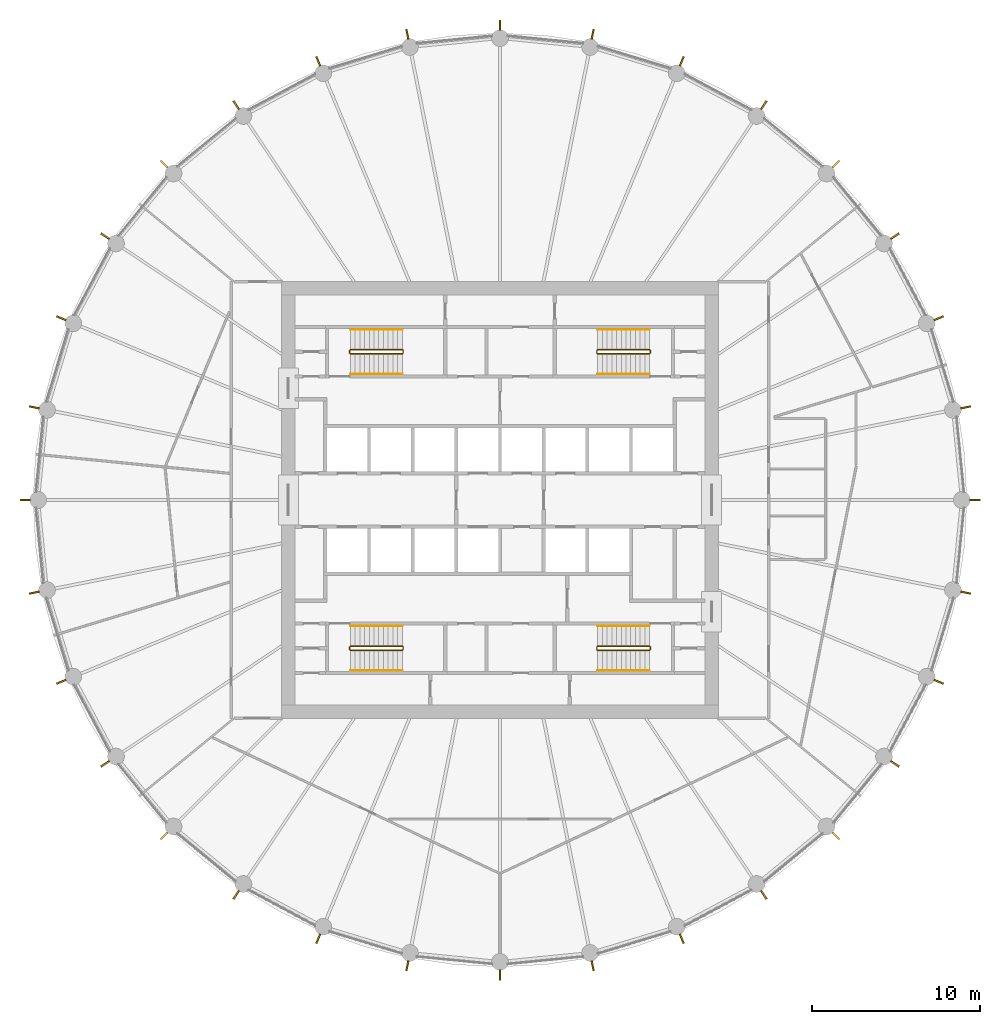
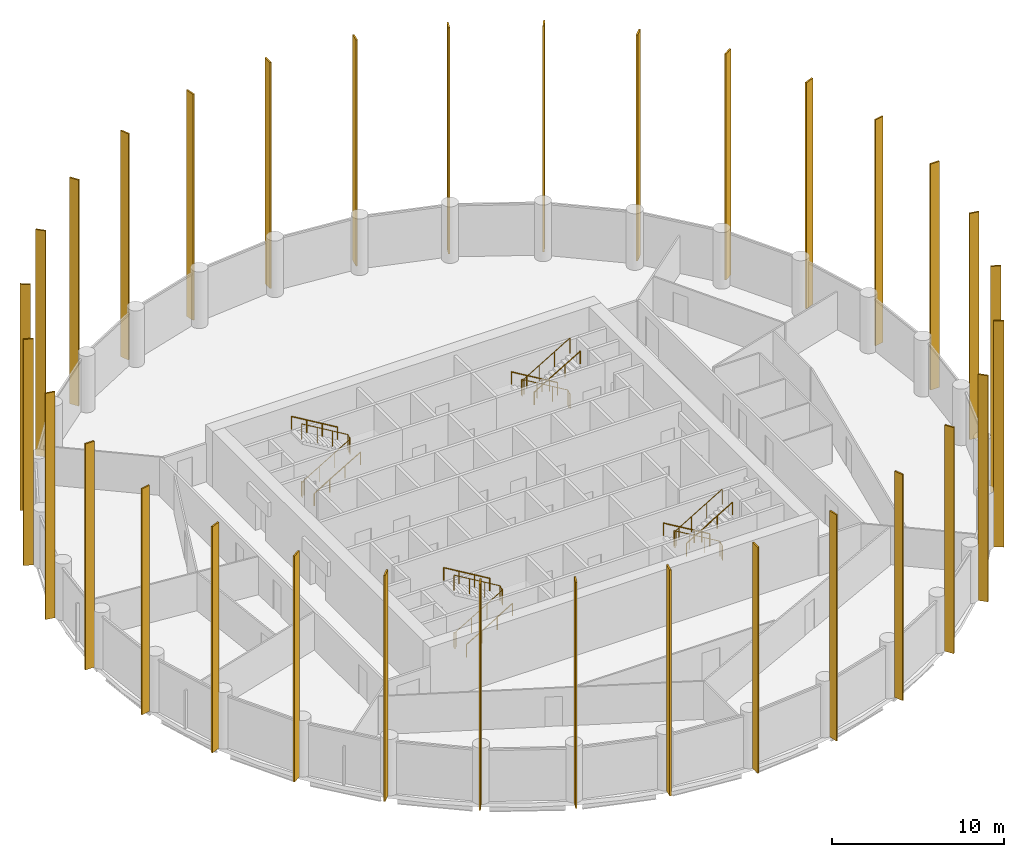
# One storey, part 9 of 9: 32 shading devices, 12 railings.
"""IFC4 building model written with IfcOpenShell, lengths in metres."""

from ifc_helpers import new_model, si_unit, direction, frame, origin, origin_2d, place, context, subcontext, project, spatial, rectangle, circle, extrude, material, material_profile, profile_set, type_object, element, save


model = new_model("IFC4")

# Units and contexts
model_context = context("Model", 3, precision=1e-05, world=origin(), true_north=direction((0.0, 1.0)))
body_context = subcontext(model_context, "Body", "Model", "MODEL_VIEW")
ifc_project = project(units=[si_unit("LENGTHUNIT", "METRE"), si_unit("AREAUNIT", "SQUARE_METRE"), si_unit("VOLUMEUNIT", "CUBIC_METRE"), si_unit("PLANEANGLEUNIT", "RADIAN"), si_unit("MASSUNIT", "GRAM", prefix="KILO")], contexts=[model_context])

# Site, building, storey
site_placement = place(None, origin())
site = spatial("IfcSite", under=ifc_project, at=site_placement, CompositionType="ELEMENT")
building_placement = place(site_placement, origin())
building = spatial("IfcBuilding", under=site, at=building_placement, Name="Corvane Civic Tower", CompositionType="ELEMENT")
storey_placement = place(building_placement, frame((0.0, 0.0, 217.5)))
storey = spatial("IfcBuildingStorey", under=building, at=storey_placement, Name="L51", CompositionType="ELEMENT", Elevation=217.5)

# Railings
ifc_material_1 = material(Name="Steel ASTM A572 Gr 50", Category="steel")
railing_type_1 = type_object("IfcRailingType", Name="ST-GUARD-1100", PredefinedType="GUARDRAIL", material=ifc_material_1)
railing_1_placement = place(storey_placement, frame((8.949951171875, 8.75, 0.0)))
element("IfcRailing", 1, at=railing_1_placement, inside=storey, type_object=railing_type_1, Name="L51 ST1 stair guard 1", PredefinedType="GUARDRAIL", context=body_context, shape_type="SweptSolid", body=[
    extrude(circle(Radius=0.02392578125, at=origin_2d()), frame((0.0, 0.0, 1.076171875), z_axis=(0.0, 1.0, 0.0), x_axis=(-1.0, 0.0, 0.0)), (0.0, 0.0, 1.0), 0.14990234375),
    extrude(circle(Radius=0.02392578125, at=origin_2d()), frame((0.0, 0.14990234375, 1.076171875), z_axis=(-0.27628659633, 0.27628659633, 0.920506074601), x_axis=(-0.707106781187, -0.707106781187, 0.0)), (0.0, 0.0, 1.0), 0.18115234375),
    extrude(circle(Radius=0.02392578125, at=origin_2d()), frame((-0.050048828125, 0.199951171875, 1.24267578125), z_axis=(-0.859290745958, 0.0, 0.51148745235), x_axis=(0.0, -1.0, 0.0)), (0.0, 0.0, 1.0), 3.584228515625),
    extrude(circle(Radius=0.02392578125, at=origin_2d()), frame((-3.1298828125, 0.199951171875, 3.076171875), z_axis=(-0.707106781187, -0.707106781187, 0.0), x_axis=(0.707106781187, -0.707106781187, 0.0)), (0.0, 0.0, 1.0), 0.07080078125),
    extrude(circle(Radius=0.02392578125, at=origin_2d()), frame((-3.179931640625, 0.14990234375, 3.076171875), z_axis=(0.0, -1.0, 0.0), x_axis=(1.0, 0.0, 0.0)), (0.0, 0.0, 1.0), 0.14990234375),
    extrude(circle(Radius=0.02392578125, at=origin_2d()), frame((-3.179931640625, 0.0, 3.076171875), z_axis=(0.27628659633, -0.27628659633, 0.920506074601), x_axis=(0.707106781187, 0.707106781187, 0.0)), (0.0, 0.0, 1.0), 0.18115234375),
    extrude(circle(Radius=0.02392578125, at=origin_2d()), frame((-3.1298828125, -0.050048828125, 3.24267578125), z_axis=(0.859290745958, 0.0, 0.51148745235), x_axis=(0.0, 1.0, 0.0)), (0.0, 0.0, 1.0), 3.584228515625),
    extrude(circle(Radius=0.02099609375, at=origin_2d()), origin(), (0.0, 0.0, 1.0), 1.052001953125),
    extrude(circle(Radius=0.02099609375, at=origin_2d()), frame((0.0, 0.14990234375, 0.0)), (0.0, 0.0, 1.0), 1.052001953125),
    extrude(circle(Radius=0.02099609375, at=origin_2d()), frame((-0.050048828125, 0.199951171875, 0.166748046875)), (0.0, 0.0, 1.0), 1.052001953125),
    extrude(circle(Radius=0.02099609375, at=origin_2d()), frame((-1.07666015625, 0.199951171875, 0.77783203125)), (0.0, 0.0, 1.0), 1.052001953125),
    extrude(circle(Radius=0.02099609375, at=origin_2d()), frame((-2.103271484375, 0.199951171875, 1.388916015625)), (0.0, 0.0, 1.0), 1.052001953125),
    extrude(circle(Radius=0.02099609375, at=origin_2d()), frame((-3.1298828125, 0.199951171875, 2.0)), (0.0, 0.0, 1.0), 1.052001953125),
    extrude(circle(Radius=0.02099609375, at=origin_2d()), frame((-3.179931640625, 0.14990234375, 2.0)), (0.0, 0.0, 1.0), 1.052001953125),
    extrude(circle(Radius=0.02099609375, at=origin_2d()), frame((-3.179931640625, 0.0, 2.0)), (0.0, 0.0, 1.0), 1.052001953125),
    extrude(circle(Radius=0.02099609375, at=origin_2d()), frame((-3.1298828125, -0.050048828125, 2.166748046875)), (0.0, 0.0, 1.0), 1.052001953125),
    extrude(circle(Radius=0.02099609375, at=origin_2d()), frame((-2.103271484375, -0.050048828125, 2.77783203125)), (0.0, 0.0, 1.0), 1.052001953125),
    extrude(circle(Radius=0.02099609375, at=origin_2d()), frame((-1.07666015625, -0.050048828125, 3.388916015625)), (0.0, 0.0, 1.0), 1.052001953125),
    extrude(circle(Radius=0.02099609375, at=origin_2d()), frame((-0.050048828125, -0.050048828125, 4.0)), (0.0, 0.0, 1.0), 1.052001953125),
])
railing_2_placement = place(storey_placement, frame((8.949951171875, -8.89990234375, 0.0)))
element("IfcRailing", 2, at=railing_2_placement, inside=storey, type_object=railing_type_1, Name="L51 ST2 stair guard 1", PredefinedType="GUARDRAIL", context=body_context, shape_type="SweptSolid", body=[
    extrude(circle(Radius=0.02392578125, at=origin_2d()), frame((0.0, 0.0, 1.076171875), z_axis=(0.0, 1.0, 0.0), x_axis=(-1.0, 0.0, 0.0)), (0.0, 0.0, 1.0), 0.14990234375),
    extrude(circle(Radius=0.02392578125, at=origin_2d()), frame((0.0, 0.14990234375, 1.076171875), z_axis=(-0.27628659633, 0.27628659633, 0.920506074601), x_axis=(-0.707106781187, -0.707106781187, 0.0)), (0.0, 0.0, 1.0), 0.18115234375),
    extrude(circle(Radius=0.02392578125, at=origin_2d()), frame((-0.050048828125, 0.199951171875, 1.24267578125), z_axis=(-0.859290745958, 0.0, 0.51148745235), x_axis=(0.0, -1.0, 0.0)), (0.0, 0.0, 1.0), 3.584228515625),
    extrude(circle(Radius=0.02392578125, at=origin_2d()), frame((-3.1298828125, 0.199951171875, 3.076171875), z_axis=(-0.707106781187, -0.707106781187, 0.0), x_axis=(0.707106781187, -0.707106781187, 0.0)), (0.0, 0.0, 1.0), 0.07080078125),
    extrude(circle(Radius=0.02392578125, at=origin_2d()), frame((-3.179931640625, 0.14990234375, 3.076171875), z_axis=(0.0, -1.0, 0.0), x_axis=(1.0, 0.0, 0.0)), (0.0, 0.0, 1.0), 0.14990234375),
    extrude(circle(Radius=0.02392578125, at=origin_2d()), frame((-3.179931640625, 0.0, 3.076171875), z_axis=(0.27628659633, -0.27628659633, 0.920506074601), x_axis=(0.707106781187, 0.707106781187, 0.0)), (0.0, 0.0, 1.0), 0.18115234375),
    extrude(circle(Radius=0.02392578125, at=origin_2d()), frame((-3.1298828125, -0.050048828125, 3.24267578125), z_axis=(0.859290745958, 0.0, 0.51148745235), x_axis=(0.0, 1.0, 0.0)), (0.0, 0.0, 1.0), 3.584228515625),
    extrude(circle(Radius=0.02099609375, at=origin_2d()), origin(), (0.0, 0.0, 1.0), 1.052001953125),
    extrude(circle(Radius=0.02099609375, at=origin_2d()), frame((0.0, 0.14990234375, 0.0)), (0.0, 0.0, 1.0), 1.052001953125),
    extrude(circle(Radius=0.02099609375, at=origin_2d()), frame((-0.050048828125, 0.199951171875, 0.166748046875)), (0.0, 0.0, 1.0), 1.052001953125),
    extrude(circle(Radius=0.02099609375, at=origin_2d()), frame((-1.07666015625, 0.199951171875, 0.77783203125)), (0.0, 0.0, 1.0), 1.052001953125),
    extrude(circle(Radius=0.02099609375, at=origin_2d()), frame((-2.103271484375, 0.199951171875, 1.388916015625)), (0.0, 0.0, 1.0), 1.052001953125),
    extrude(circle(Radius=0.02099609375, at=origin_2d()), frame((-3.1298828125, 0.199951171875, 2.0)), (0.0, 0.0, 1.0), 1.052001953125),
    extrude(circle(Radius=0.02099609375, at=origin_2d()), frame((-3.179931640625, 0.14990234375, 2.0)), (0.0, 0.0, 1.0), 1.052001953125),
    extrude(circle(Radius=0.02099609375, at=origin_2d()), frame((-3.179931640625, 0.0, 2.0)), (0.0, 0.0, 1.0), 1.052001953125),
    extrude(circle(Radius=0.02099609375, at=origin_2d()), frame((-3.1298828125, -0.050048828125, 2.166748046875)), (0.0, 0.0, 1.0), 1.052001953125),
    extrude(circle(Radius=0.02099609375, at=origin_2d()), frame((-2.103271484375, -0.050048828125, 2.77783203125)), (0.0, 0.0, 1.0), 1.052001953125),
    extrude(circle(Radius=0.02099609375, at=origin_2d()), frame((-1.07666015625, -0.050048828125, 3.388916015625)), (0.0, 0.0, 1.0), 1.052001953125),
    extrude(circle(Radius=0.02099609375, at=origin_2d()), frame((-0.050048828125, -0.050048828125, 4.0)), (0.0, 0.0, 1.0), 1.052001953125),
])
railing_3_placement = place(storey_placement, frame((-8.949951171875, -8.75, 0.0)))
element("IfcRailing", 3, at=railing_3_placement, inside=storey, type_object=railing_type_1, Name="L51 ST3 stair guard 1", PredefinedType="GUARDRAIL", context=body_context, shape_type="SweptSolid", body=[
    extrude(circle(Radius=0.02392578125, at=origin_2d()), frame((0.0, 0.0, 1.076171875), z_axis=(0.0, -1.0, 0.0), x_axis=(1.0, 0.0, 0.0)), (0.0, 0.0, 1.0), 0.14990234375),
    extrude(circle(Radius=0.02392578125, at=origin_2d()), frame((0.0, -0.14990234375, 1.076171875), z_axis=(0.27628659633, -0.27628659633, 0.920506074601), x_axis=(0.707106781187, 0.707106781187, 0.0)), (0.0, 0.0, 1.0), 0.18115234375),
    extrude(circle(Radius=0.02392578125, at=origin_2d()), frame((0.050048828125, -0.199951171875, 1.24267578125), z_axis=(0.859290745958, 0.0, 0.51148745235), x_axis=(0.0, 1.0, 0.0)), (0.0, 0.0, 1.0), 3.584228515625),
    extrude(circle(Radius=0.02392578125, at=origin_2d()), frame((3.1298828125, -0.199951171875, 3.076171875), z_axis=(0.707106781187, 0.707106781187, 0.0), x_axis=(-0.707106781187, 0.707106781187, 0.0)), (0.0, 0.0, 1.0), 0.07080078125),
    extrude(circle(Radius=0.02392578125, at=origin_2d()), frame((3.179931640625, -0.14990234375, 3.076171875), z_axis=(0.0, 1.0, 0.0), x_axis=(-1.0, 0.0, 0.0)), (0.0, 0.0, 1.0), 0.14990234375),
    extrude(circle(Radius=0.02392578125, at=origin_2d()), frame((3.179931640625, 0.0, 3.076171875), z_axis=(-0.27628659633, 0.27628659633, 0.920506074601), x_axis=(-0.707106781187, -0.707106781187, 0.0)), (0.0, 0.0, 1.0), 0.18115234375),
    extrude(circle(Radius=0.02392578125, at=origin_2d()), frame((3.1298828125, 0.050048828125, 3.24267578125), z_axis=(-0.859290745958, 0.0, 0.51148745235), x_axis=(0.0, -1.0, 0.0)), (0.0, 0.0, 1.0), 3.584228515625),
    extrude(circle(Radius=0.02099609375, at=origin_2d()), origin(), (0.0, 0.0, 1.0), 1.052001953125),
    extrude(circle(Radius=0.02099609375, at=origin_2d()), frame((0.0, -0.14990234375, 0.0)), (0.0, 0.0, 1.0), 1.052001953125),
    extrude(circle(Radius=0.02099609375, at=origin_2d()), frame((0.050048828125, -0.199951171875, 0.166748046875)), (0.0, 0.0, 1.0), 1.052001953125),
    extrude(circle(Radius=0.02099609375, at=origin_2d()), frame((1.07666015625, -0.199951171875, 0.77783203125)), (0.0, 0.0, 1.0), 1.052001953125),
    extrude(circle(Radius=0.02099609375, at=origin_2d()), frame((2.103271484375, -0.199951171875, 1.388916015625)), (0.0, 0.0, 1.0), 1.052001953125),
    extrude(circle(Radius=0.02099609375, at=origin_2d()), frame((3.1298828125, -0.199951171875, 2.0)), (0.0, 0.0, 1.0), 1.052001953125),
    extrude(circle(Radius=0.02099609375, at=origin_2d()), frame((3.179931640625, -0.14990234375, 2.0)), (0.0, 0.0, 1.0), 1.052001953125),
    extrude(circle(Radius=0.02099609375, at=origin_2d()), frame((3.179931640625, 0.0, 2.0)), (0.0, 0.0, 1.0), 1.052001953125),
    extrude(circle(Radius=0.02099609375, at=origin_2d()), frame((3.1298828125, 0.050048828125, 2.166748046875)), (0.0, 0.0, 1.0), 1.052001953125),
    extrude(circle(Radius=0.02099609375, at=origin_2d()), frame((2.103271484375, 0.050048828125, 2.77783203125)), (0.0, 0.0, 1.0), 1.052001953125),
    extrude(circle(Radius=0.02099609375, at=origin_2d()), frame((1.07666015625, 0.050048828125, 3.388916015625)), (0.0, 0.0, 1.0), 1.052001953125),
    extrude(circle(Radius=0.02099609375, at=origin_2d()), frame((0.050048828125, 0.050048828125, 4.0)), (0.0, 0.0, 1.0), 1.052001953125),
])
railing_4_placement = place(storey_placement, frame((-8.949951171875, 8.89990234375, 0.0)))
element("IfcRailing", 4, at=railing_4_placement, inside=storey, type_object=railing_type_1, Name="L51 ST4 stair guard 1", PredefinedType="GUARDRAIL", context=body_context, shape_type="SweptSolid", body=[
    extrude(circle(Radius=0.02392578125, at=origin_2d()), frame((0.0, 0.0, 1.076171875), z_axis=(0.0, -1.0, 0.0), x_axis=(1.0, 0.0, 0.0)), (0.0, 0.0, 1.0), 0.14990234375),
    extrude(circle(Radius=0.02392578125, at=origin_2d()), frame((0.0, -0.14990234375, 1.076171875), z_axis=(0.27628659633, -0.27628659633, 0.920506074601), x_axis=(0.707106781187, 0.707106781187, 0.0)), (0.0, 0.0, 1.0), 0.18115234375),
    extrude(circle(Radius=0.02392578125, at=origin_2d()), frame((0.050048828125, -0.199951171875, 1.24267578125), z_axis=(0.859290745958, 0.0, 0.51148745235), x_axis=(0.0, 1.0, 0.0)), (0.0, 0.0, 1.0), 3.584228515625),
    extrude(circle(Radius=0.02392578125, at=origin_2d()), frame((3.1298828125, -0.199951171875, 3.076171875), z_axis=(0.707106781187, 0.707106781187, 0.0), x_axis=(-0.707106781187, 0.707106781187, 0.0)), (0.0, 0.0, 1.0), 0.07080078125),
    extrude(circle(Radius=0.02392578125, at=origin_2d()), frame((3.179931640625, -0.14990234375, 3.076171875), z_axis=(0.0, 1.0, 0.0), x_axis=(-1.0, 0.0, 0.0)), (0.0, 0.0, 1.0), 0.14990234375),
    extrude(circle(Radius=0.02392578125, at=origin_2d()), frame((3.179931640625, 0.0, 3.076171875), z_axis=(-0.27628659633, 0.27628659633, 0.920506074601), x_axis=(-0.707106781187, -0.707106781187, 0.0)), (0.0, 0.0, 1.0), 0.18115234375),
    extrude(circle(Radius=0.02392578125, at=origin_2d()), frame((3.1298828125, 0.050048828125, 3.24267578125), z_axis=(-0.859290745958, 0.0, 0.51148745235), x_axis=(0.0, -1.0, 0.0)), (0.0, 0.0, 1.0), 3.584228515625),
    extrude(circle(Radius=0.02099609375, at=origin_2d()), origin(), (0.0, 0.0, 1.0), 1.052001953125),
    extrude(circle(Radius=0.02099609375, at=origin_2d()), frame((0.0, -0.14990234375, 0.0)), (0.0, 0.0, 1.0), 1.052001953125),
    extrude(circle(Radius=0.02099609375, at=origin_2d()), frame((0.050048828125, -0.199951171875, 0.166748046875)), (0.0, 0.0, 1.0), 1.052001953125),
    extrude(circle(Radius=0.02099609375, at=origin_2d()), frame((1.07666015625, -0.199951171875, 0.77783203125)), (0.0, 0.0, 1.0), 1.052001953125),
    extrude(circle(Radius=0.02099609375, at=origin_2d()), frame((2.103271484375, -0.199951171875, 1.388916015625)), (0.0, 0.0, 1.0), 1.052001953125),
    extrude(circle(Radius=0.02099609375, at=origin_2d()), frame((3.1298828125, -0.199951171875, 2.0)), (0.0, 0.0, 1.0), 1.052001953125),
    extrude(circle(Radius=0.02099609375, at=origin_2d()), frame((3.179931640625, -0.14990234375, 2.0)), (0.0, 0.0, 1.0), 1.052001953125),
    extrude(circle(Radius=0.02099609375, at=origin_2d()), frame((3.179931640625, 0.0, 2.0)), (0.0, 0.0, 1.0), 1.052001953125),
    extrude(circle(Radius=0.02099609375, at=origin_2d()), frame((3.1298828125, 0.050048828125, 2.166748046875)), (0.0, 0.0, 1.0), 1.052001953125),
    extrude(circle(Radius=0.02099609375, at=origin_2d()), frame((2.103271484375, 0.050048828125, 2.77783203125)), (0.0, 0.0, 1.0), 1.052001953125),
    extrude(circle(Radius=0.02099609375, at=origin_2d()), frame((1.07666015625, 0.050048828125, 3.388916015625)), (0.0, 0.0, 1.0), 1.052001953125),
    extrude(circle(Radius=0.02099609375, at=origin_2d()), frame((0.050048828125, 0.050048828125, 4.0)), (0.0, 0.0, 1.0), 1.052001953125),
])
ifc_material_2 = material(Name="Steel ASTM A572 Gr 50", Category="steel")
railing_type_2 = type_object("IfcRailingType", Name="ST-HANDRAIL-900", PredefinedType="HANDRAIL", material=ifc_material_2)
railing_5_placement = place(storey_placement, frame((8.89990234375, 10.14990234375, 0.166748046875)))
element("IfcRailing", 5, at=railing_5_placement, inside=storey, type_object=railing_type_2, Name="L51 ST1 stair handrail 1", PredefinedType="HANDRAIL", context=body_context, shape_type="SweptSolid", body=[
    extrude(circle(Radius=0.02392578125, at=origin_2d()), frame((0.0, 0.0, 0.8759765625), z_axis=(-0.859290745958, 0.0, 0.51148745235), x_axis=(0.0, -1.0, 0.0)), (0.0, 0.0, 1.0), 3.584228515625),
    extrude(circle(Radius=0.02099609375, at=origin_2d()), origin(), (0.0, 0.0, 1.0), 0.851806640625),
    extrude(circle(Radius=0.02099609375, at=origin_2d()), frame((-1.026611328125, 0.0, 0.611083984375)), (0.0, 0.0, 1.0), 0.851806640625),
    extrude(circle(Radius=0.02099609375, at=origin_2d()), frame((-2.05322265625, 0.0, 1.22216796875)), (0.0, 0.0, 1.0), 0.851806640625),
    extrude(circle(Radius=0.02099609375, at=origin_2d()), frame((-3.079833984375, 0.0, 1.833251953125)), (0.0, 0.0, 1.0), 0.851806640625),
])
railing_6_placement = place(storey_placement, frame((5.820068359375, 7.5, 2.166748046875)))
element("IfcRailing", 6, at=railing_6_placement, inside=storey, type_object=railing_type_2, Name="L51 ST1 stair handrail 2", PredefinedType="HANDRAIL", context=body_context, shape_type="SweptSolid", body=[
    extrude(circle(Radius=0.02392578125, at=origin_2d()), frame((0.0, 0.0, 0.8759765625), z_axis=(0.859290745958, 0.0, 0.51148745235), x_axis=(0.0, 1.0, 0.0)), (0.0, 0.0, 1.0), 3.584228515625),
    extrude(circle(Radius=0.02099609375, at=origin_2d()), origin(), (0.0, 0.0, 1.0), 0.851806640625),
    extrude(circle(Radius=0.02099609375, at=origin_2d()), frame((1.026611328125, 0.0, 0.611083984375)), (0.0, 0.0, 1.0), 0.851806640625),
    extrude(circle(Radius=0.02099609375, at=origin_2d()), frame((2.05322265625, 0.0, 1.22216796875)), (0.0, 0.0, 1.0), 0.851806640625),
    extrude(circle(Radius=0.02099609375, at=origin_2d()), frame((3.079833984375, 0.0, 1.833251953125)), (0.0, 0.0, 1.0), 0.851806640625),
])
railing_7_placement = place(storey_placement, frame((8.89990234375, -7.5, 0.166748046875)))
element("IfcRailing", 7, at=railing_7_placement, inside=storey, type_object=railing_type_2, Name="L51 ST2 stair handrail 1", PredefinedType="HANDRAIL", context=body_context, shape_type="SweptSolid", body=[
    extrude(circle(Radius=0.02392578125, at=origin_2d()), frame((0.0, 0.0, 0.8759765625), z_axis=(-0.859290745958, 0.0, 0.51148745235), x_axis=(0.0, -1.0, 0.0)), (0.0, 0.0, 1.0), 3.584228515625),
    extrude(circle(Radius=0.02099609375, at=origin_2d()), origin(), (0.0, 0.0, 1.0), 0.851806640625),
    extrude(circle(Radius=0.02099609375, at=origin_2d()), frame((-1.026611328125, 0.0, 0.611083984375)), (0.0, 0.0, 1.0), 0.851806640625),
    extrude(circle(Radius=0.02099609375, at=origin_2d()), frame((-2.05322265625, 0.0, 1.22216796875)), (0.0, 0.0, 1.0), 0.851806640625),
    extrude(circle(Radius=0.02099609375, at=origin_2d()), frame((-3.079833984375, 0.0, 1.833251953125)), (0.0, 0.0, 1.0), 0.851806640625),
])
for number, where, name in (
    (8, (5.820068359375, -10.14990234375, 2.166748046875), "L51 ST2 stair handrail 2"),
    (9, (-8.89990234375, -10.14990234375, 0.166748046875), "L51 ST3 stair handrail 1"),
):
    element("IfcRailing", number, at=place(storey_placement, frame(where)), inside=storey, type_object=railing_type_2, Name=name, PredefinedType="HANDRAIL", context=body_context, shape_type="SweptSolid", body=[
        extrude(circle(Radius=0.02392578125, at=origin_2d()), frame((0.0, 0.0, 0.8759765625), z_axis=(0.859290745958, 0.0, 0.51148745235), x_axis=(0.0, 1.0, 0.0)), (0.0, 0.0, 1.0), 3.584228515625),
        extrude(circle(Radius=0.02099609375, at=origin_2d()), origin(), (0.0, 0.0, 1.0), 0.851806640625),
        extrude(circle(Radius=0.02099609375, at=origin_2d()), frame((1.026611328125, 0.0, 0.611083984375)), (0.0, 0.0, 1.0), 0.851806640625),
        extrude(circle(Radius=0.02099609375, at=origin_2d()), frame((2.05322265625, 0.0, 1.22216796875)), (0.0, 0.0, 1.0), 0.851806640625),
        extrude(circle(Radius=0.02099609375, at=origin_2d()), frame((3.079833984375, 0.0, 1.833251953125)), (0.0, 0.0, 1.0), 0.851806640625),
    ])
railing_8_placement = place(storey_placement, frame((-5.820068359375, -7.5, 2.166748046875)))
element("IfcRailing", 10, at=railing_8_placement, inside=storey, type_object=railing_type_2, Name="L51 ST3 stair handrail 2", PredefinedType="HANDRAIL", context=body_context, shape_type="SweptSolid", body=[
    extrude(circle(Radius=0.02392578125, at=origin_2d()), frame((0.0, 0.0, 0.8759765625), z_axis=(-0.859290745958, 0.0, 0.51148745235), x_axis=(0.0, -1.0, 0.0)), (0.0, 0.0, 1.0), 3.584228515625),
    extrude(circle(Radius=0.02099609375, at=origin_2d()), origin(), (0.0, 0.0, 1.0), 0.851806640625),
    extrude(circle(Radius=0.02099609375, at=origin_2d()), frame((-1.026611328125, 0.0, 0.611083984375)), (0.0, 0.0, 1.0), 0.851806640625),
    extrude(circle(Radius=0.02099609375, at=origin_2d()), frame((-2.05322265625, 0.0, 1.22216796875)), (0.0, 0.0, 1.0), 0.851806640625),
    extrude(circle(Radius=0.02099609375, at=origin_2d()), frame((-3.079833984375, 0.0, 1.833251953125)), (0.0, 0.0, 1.0), 0.851806640625),
])
railing_9_placement = place(storey_placement, frame((-8.89990234375, 7.5, 0.166748046875)))
element("IfcRailing", 11, at=railing_9_placement, inside=storey, type_object=railing_type_2, Name="L51 ST4 stair handrail 1", PredefinedType="HANDRAIL", context=body_context, shape_type="SweptSolid", body=[
    extrude(circle(Radius=0.02392578125, at=origin_2d()), frame((0.0, 0.0, 0.8759765625), z_axis=(0.859290745958, 0.0, 0.51148745235), x_axis=(0.0, 1.0, 0.0)), (0.0, 0.0, 1.0), 3.584228515625),
    extrude(circle(Radius=0.02099609375, at=origin_2d()), origin(), (0.0, 0.0, 1.0), 0.851806640625),
    extrude(circle(Radius=0.02099609375, at=origin_2d()), frame((1.026611328125, 0.0, 0.611083984375)), (0.0, 0.0, 1.0), 0.851806640625),
    extrude(circle(Radius=0.02099609375, at=origin_2d()), frame((2.05322265625, 0.0, 1.22216796875)), (0.0, 0.0, 1.0), 0.851806640625),
    extrude(circle(Radius=0.02099609375, at=origin_2d()), frame((3.079833984375, 0.0, 1.833251953125)), (0.0, 0.0, 1.0), 0.851806640625),
])
railing_10_placement = place(storey_placement, frame((-5.820068359375, 10.14990234375, 2.166748046875)))
element("IfcRailing", 12, at=railing_10_placement, inside=storey, type_object=railing_type_2, Name="L51 ST4 stair handrail 2", PredefinedType="HANDRAIL", context=body_context, shape_type="SweptSolid", body=[
    extrude(circle(Radius=0.02392578125, at=origin_2d()), frame((0.0, 0.0, 0.8759765625), z_axis=(-0.859290745958, 0.0, 0.51148745235), x_axis=(0.0, -1.0, 0.0)), (0.0, 0.0, 1.0), 3.584228515625),
    extrude(circle(Radius=0.02099609375, at=origin_2d()), origin(), (0.0, 0.0, 1.0), 0.851806640625),
    extrude(circle(Radius=0.02099609375, at=origin_2d()), frame((-1.026611328125, 0.0, 0.611083984375)), (0.0, 0.0, 1.0), 0.851806640625),
    extrude(circle(Radius=0.02099609375, at=origin_2d()), frame((-2.05322265625, 0.0, 1.22216796875)), (0.0, 0.0, 1.0), 0.851806640625),
    extrude(circle(Radius=0.02099609375, at=origin_2d()), frame((-3.079833984375, 0.0, 1.833251953125)), (0.0, 0.0, 1.0), 0.851806640625),
])

# Shading devices
ifc_material_3 = material(Name="Anodised aluminium bronze", Category="aluminium")
ifc_material_profile = material_profile(ifc_material_3, rectangle(XDim=0.10009765625, YDim=0.60009765625, at=origin_2d()), Name="TOWER FIN STACK 100x600 BRONZE")
ifc_profile_set = profile_set([ifc_material_profile], Name="Anodised aluminium bronze")
shading_device_type = type_object("IfcShadingDeviceType", Name="TOWER FIN STACK 100x600 BRONZE", PredefinedType="USERDEFINED", material=ifc_profile_set)
for number, where, z_axis, x_axis, name in (
    (13, (0.0, 28.280029296875, 0.0), (0.0, 0.0, 1.0), (1.0, 0.0, 0.0), "Fin 01 L51 to L54"),
    (14, (5.51708984375, 27.736572265625, 0.0), (0.0, 0.0, 1.0), (0.980785280403, -0.195090322016, 0.0), "Fin 02 L51 to L54"),
    (15, (10.822265625, 26.127197265625, 0.0), (0.0, 0.0, 1.0), (0.923879532511, -0.382683432365, 0.0), "Fin 03 L51 to L54"),
    (16, (15.71142578125, 23.513916015625, 0.0), (0.0, 0.0, 1.0), (0.831469612303, -0.55557023302, 0.0), "Fin 04 L51 to L54"),
    (17, (19.9970703125, 19.9970703125, 0.0), (0.0, 0.0, 1.0), (0.707106781187, -0.707106781187, 0.0), "Fin 05 L51 to L54"),
    (18, (23.513916015625, 15.71142578125, 0.0), (0.0, 0.0, 1.0), (0.55557023302, -0.831469612303, 0.0), "Fin 06 L51 to L54"),
    (19, (26.127197265625, 10.822265625, 0.0), (0.0, 0.0, 1.0), (0.382683432365, -0.923879532511, 0.0), "Fin 07 L51 to L54"),
    (20, (27.736572265625, 5.51708984375, 0.0), (0.0, 0.0, 1.0), (0.195090322016, -0.980785280403, 0.0), "Fin 08 L51 to L54"),
    (21, (28.280029296875, 0.0, 0.0), (0.0, 0.0, 1.0), (0.0, -1.0, 0.0), "Fin 09 L51 to L54"),
    (22, (27.736572265625, -5.51708984375, 0.0), (0.0, 0.0, 1.0), (-0.195090322016, -0.980785280403, 0.0), "Fin 10 L51 to L54"),
    (23, (26.127197265625, -10.822265625, 0.0), (0.0, 0.0, 1.0), (-0.382683432365, -0.923879532511, 0.0), "Fin 11 L51 to L54"),
    (24, (23.513916015625, -15.71142578125, 0.0), (0.0, 0.0, 1.0), (-0.55557023302, -0.831469612303, 0.0), "Fin 12 L51 to L54"),
    (25, (19.9970703125, -19.9970703125, 0.0), (0.0, 0.0, 1.0), (-0.707106781187, -0.707106781187, 0.0), "Fin 13 L51 to L54"),
    (26, (15.71142578125, -23.513916015625, 0.0), (0.0, 0.0, 1.0), (-0.831469612303, -0.55557023302, 0.0), "Fin 14 L51 to L54"),
    (27, (10.822265625, -26.127197265625, 0.0), (0.0, 0.0, 1.0), (-0.923879532511, -0.382683432365, 0.0), "Fin 15 L51 to L54"),
    (28, (5.51708984375, -27.736572265625, 0.0), (0.0, 0.0, 1.0), (-0.980785280403, -0.195090322016, 0.0), "Fin 16 L51 to L54"),
    (29, (0.0, -28.280029296875, 0.0), (0.0, 0.0, 1.0), (-1.0, 0.0, 0.0), "Fin 17 L51 to L54"),
    (30, (-5.51708984375, -27.736572265625, 0.0), (0.0, 0.0, 1.0), (-0.980785280403, 0.195090322016, 0.0), "Fin 18 L51 to L54"),
    (31, (-10.822265625, -26.127197265625, 0.0), (0.0, 0.0, 1.0), (-0.923879532511, 0.382683432365, 0.0), "Fin 19 L51 to L54"),
    (32, (-15.71142578125, -23.513916015625, 0.0), (0.0, 0.0, 1.0), (-0.831469612303, 0.55557023302, 0.0), "Fin 20 L51 to L54"),
    (33, (-19.9970703125, -19.9970703125, 0.0), (0.0, 0.0, 1.0), (-0.707106781187, 0.707106781187, 0.0), "Fin 21 L51 to L54"),
    (34, (-23.513916015625, -15.71142578125, 0.0), (0.0, 0.0, 1.0), (-0.55557023302, 0.831469612303, 0.0), "Fin 22 L51 to L54"),
    (35, (-26.127197265625, -10.822265625, 0.0), (0.0, 0.0, 1.0), (-0.382683432365, 0.923879532511, 0.0), "Fin 23 L51 to L54"),
    (36, (-27.736572265625, -5.51708984375, 0.0), (0.0, 0.0, 1.0), (-0.195090322016, 0.980785280403, 0.0), "Fin 24 L51 to L54"),
    (37, (-28.280029296875, 0.0, 0.0), (0.0, 0.0, 1.0), (0.0, 1.0, 0.0), "Fin 25 L51 to L54"),
    (38, (-27.736572265625, 5.51708984375, 0.0), (0.0, 0.0, 1.0), (0.195090322016, 0.980785280403, 0.0), "Fin 26 L51 to L54"),
    (39, (-26.127197265625, 10.822265625, 0.0), (0.0, 0.0, 1.0), (0.382683432365, 0.923879532511, 0.0), "Fin 27 L51 to L54"),
    (40, (-23.513916015625, 15.71142578125, 0.0), (0.0, 0.0, 1.0), (0.55557023302, 0.831469612303, 0.0), "Fin 28 L51 to L54"),
    (41, (-19.9970703125, 19.9970703125, 0.0), (0.0, 0.0, 1.0), (0.707106781187, 0.707106781187, 0.0), "Fin 29 L51 to L54"),
    (42, (-15.71142578125, 23.513916015625, 0.0), (0.0, 0.0, 1.0), (0.831469612303, 0.55557023302, 0.0), "Fin 30 L51 to L54"),
    (43, (-10.822265625, 26.127197265625, 0.0), (0.0, 0.0, 1.0), (0.923879532511, 0.382683432365, 0.0), "Fin 31 L51 to L54"),
    (44, (-5.51708984375, 27.736572265625, 0.0), (0.0, 0.0, 1.0), (0.980785280403, 0.195090322016, 0.0), "Fin 32 L51 to L54"),
):
    element("IfcShadingDevice", number, at=place(storey_placement, frame(where, z_axis=z_axis, x_axis=x_axis)), inside=storey, type_object=shading_device_type, Name=name, ObjectType="FIN", PredefinedType="USERDEFINED", context=body_context, shape_type="SweptSolid", body=[
        extrude(rectangle(XDim=0.10009765625, YDim=0.60009765625, at=origin_2d()), origin(), (0.0, 0.0, 1.0), 16.0),
    ])

save(model, "model.ifc")
